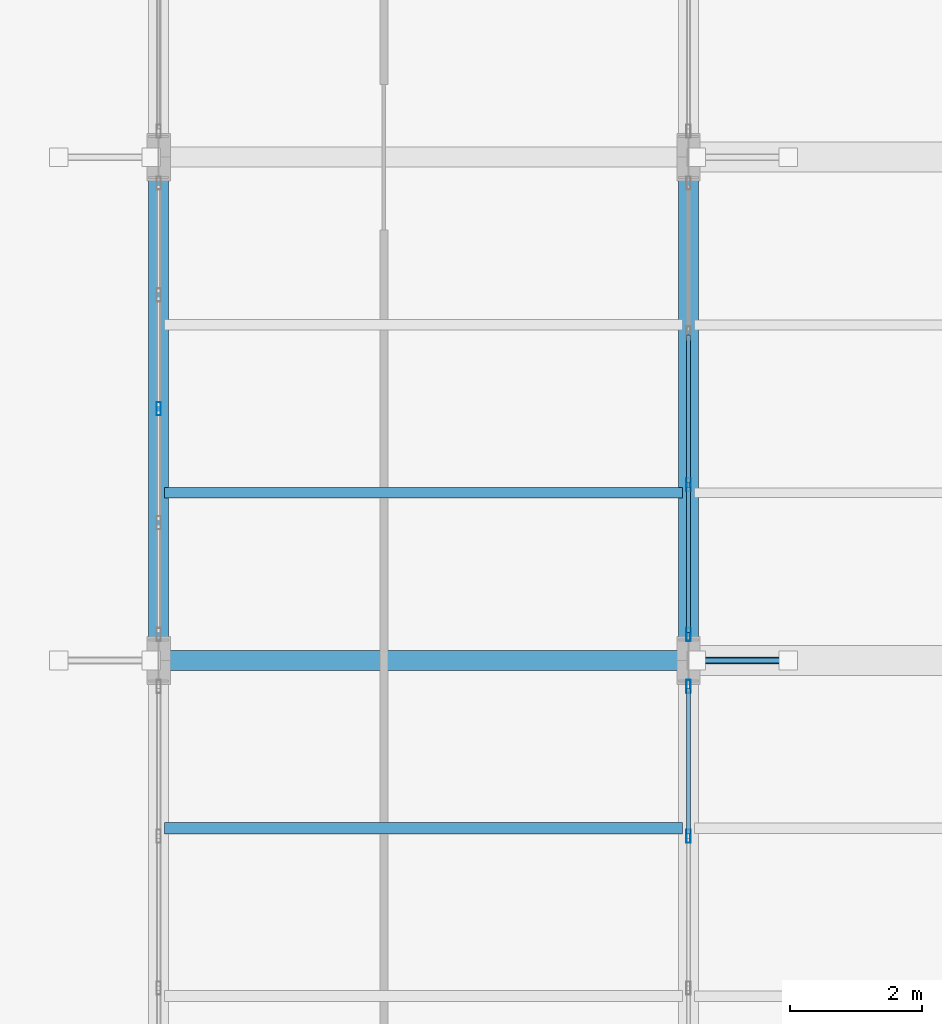
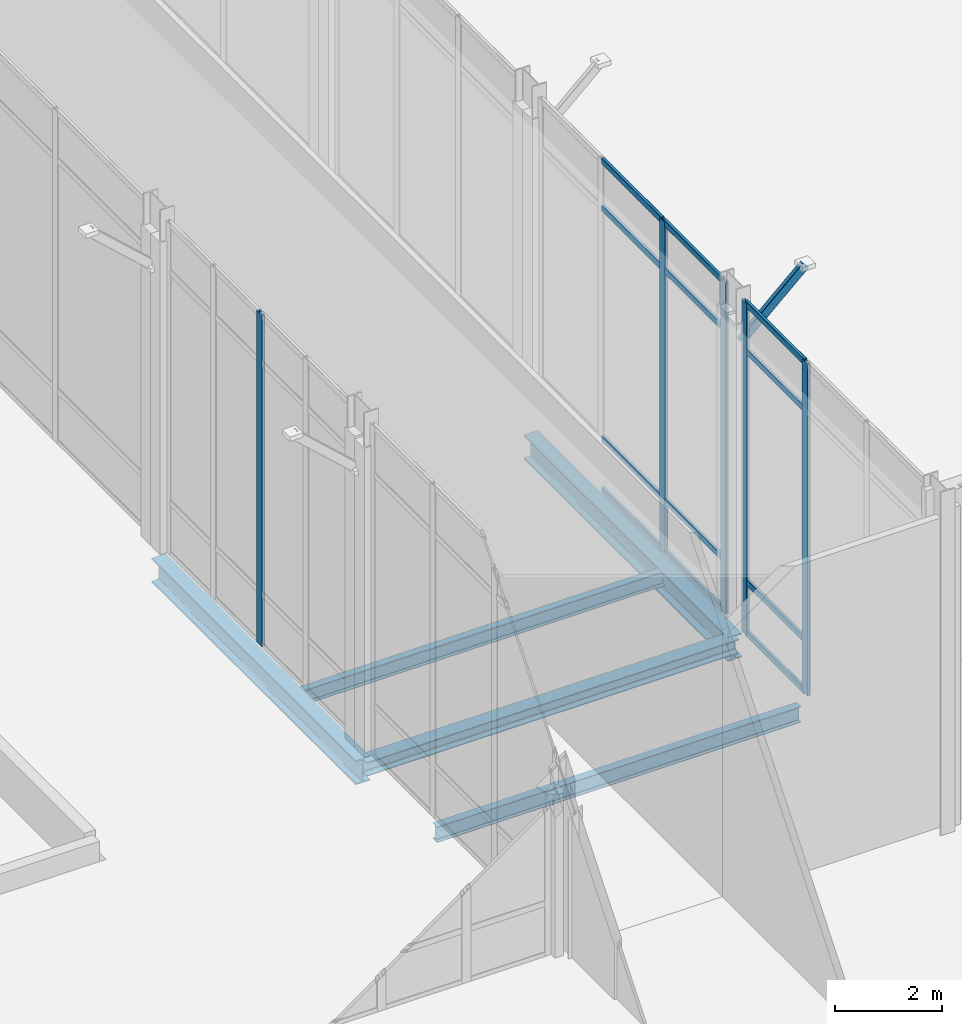
# One storey, part 35 of 176: 18 members, 5 beams, 3 elements without a shape of their own.
"""IFC4 building model written with IfcOpenShell, lengths in metres."""

import ifcopenshell
import ifcopenshell.guid

model = None  # the IFC model being written
_history = None  # IfcOwnerHistory: only IFC2X3 demands one
_inside = {}  # id of a spatial element -> (the spatial element, [elements in it])
_under = {}  # id of a project, library or spatial element -> (it, [spatial elements below it])
_declared = {}  # id of a project -> (the project, [libraries it declares])
_typed = {}  # id of a type object -> (the type object, [elements of that type])
_made_of = {}  # id of a material, layer set ... -> (it, [elements and type objects made of it])


def new_model(schema):
    """Start an empty IFC model of exactly this schema.

    Asked for "IFC4X3", IfcOpenShell would pick the latest addendum, in which some entities
    have other attributes; the version numbers below select the first issue.
    IFC2X3 requires an IfcOwnerHistory on every rooted entity: one is made here for all.
    """
    global model, _history
    if schema == "IFC4X3":
        model = ifcopenshell.file(schema_version=(4, 3, 0, 0))
    else:
        model = ifcopenshell.file(schema=schema)
    _inside.clear()
    _under.clear()
    _declared.clear()
    _typed.clear()
    _made_of.clear()
    _history = None
    if model.schema == "IFC2X3":
        org = make("IfcOrganization", Name="unknown")
        user = make(
            "IfcPersonAndOrganization",
            ThePerson=make("IfcPerson", FamilyName="unknown"),
            TheOrganization=org,
        )
        app = make(
            "IfcApplication",
            ApplicationDeveloper=org,
            Version="unknown",
            ApplicationFullName="unknown",
            ApplicationIdentifier="unknown",
        )
        _history = make(
            "IfcOwnerHistory",
            OwningUser=user,
            OwningApplication=app,
            ChangeAction="ADDED",
            CreationDate=0,
        )
    return model


def make(cls, **values):
    """One entity of the class cls with the attributes given. An attribute that is None is left unset."""
    return model.create_entity(
        cls, **{name: value for name, value in values.items() if value is not None}
    )


def rooted(cls, **values):
    """An entity with a GlobalId (a new one), such as an element, a storey or a relation."""
    return make(cls, GlobalId=ifcopenshell.guid.new(), OwnerHistory=_history, **values)


def si_unit(unit_type, name, prefix=None):
    """IfcSIUnit, for example si_unit("LENGTHUNIT", "METRE", prefix="MILLI")."""
    return make("IfcSIUnit", UnitType=unit_type, Prefix=prefix, Name=name)


def assignment(units):
    """IfcUnitAssignment: the units of a project."""
    return None if units is None else make("IfcUnitAssignment", Units=units)


def point(xyz):
    """IfcCartesianPoint."""
    return None if xyz is None else make("IfcCartesianPoint", Coordinates=xyz)


def direction(xyz):
    """IfcDirection."""
    return None if xyz is None else make("IfcDirection", DirectionRatios=xyz)


def frame(location, z_axis=None, x_axis=None):
    """IfcAxis2Placement3D, a coordinate frame: its origin and axes. An axis left out is left unset."""
    return make(
        "IfcAxis2Placement3D",
        Location=point(location),
        Axis=direction(z_axis),
        RefDirection=direction(x_axis),
    )


def frame_2d(location, x_axis=None):
    """IfcAxis2Placement2D, a coordinate frame in the plane: its origin and x axis."""
    return make(
        "IfcAxis2Placement2D", Location=point(location), RefDirection=direction(x_axis)
    )


def origin():
    """The frame at (0, 0, 0) with its axes left unset."""
    return frame((0.0, 0.0, 0.0))


def origin_2d():
    """The frame at (0, 0) in the plane with its x axis left unset."""
    return frame_2d((0.0, 0.0))


def place(relative_to, where):
    """IfcLocalPlacement: puts the frame where relative to a parent placement (None: the world)."""
    return make(
        "IfcLocalPlacement", PlacementRelTo=relative_to, RelativePlacement=where
    )


def context(
    kind, dimensions, precision=None, world=None, true_north=None, identifier=None
):
    """IfcGeometricRepresentationContext, for example the 3D "Model" context."""
    return make(
        "IfcGeometricRepresentationContext",
        ContextIdentifier=identifier,
        ContextType=kind,
        CoordinateSpaceDimension=dimensions,
        Precision=precision,
        WorldCoordinateSystem=world,
        TrueNorth=true_north,
    )


def subcontext(parent, identifier, kind, view, scale=None):
    """IfcGeometricRepresentationSubContext, for example "Body" below "Model"."""
    return make(
        "IfcGeometricRepresentationSubContext",
        ContextIdentifier=identifier,
        ContextType=kind,
        ParentContext=parent,
        TargetScale=scale,
        TargetView=view,
    )


def project(units=None, contexts=None):
    """IfcProject with its units and contexts."""
    return rooted(
        "IfcProject",
        Name="project",
        RepresentationContexts=contexts,
        UnitsInContext=assignment(units),
    )


def spatial(cls, under=None, at=None, **own):
    """A site, building, storey or space (cls), placed at a placement, below another one or the project."""
    s = rooted(cls, ObjectPlacement=at, **own)
    if under is not None:
        _under.setdefault(under.id(), (under, []))[1].append(s)
    return s


def profile(cls, at=None, kind="AREA", **sizes):
    """A parametric profile (cls). Its sizes go by their IFC names, for example OverallWidth=200.0."""
    return make(cls, ProfileType=kind, Position=at, **sizes)


def hollow_rectangle(**sizes):
    """IfcRectangleHollowProfileDef."""
    return profile("IfcRectangleHollowProfileDef", **sizes)


def i_section(**sizes):
    """IfcIShapeProfileDef."""
    return profile("IfcIShapeProfileDef", **sizes)


def extrude(swept, where, along, depth):
    """IfcExtrudedAreaSolid: the profile swept, set in the frame where, extruded along a direction by depth."""
    return make(
        "IfcExtrudedAreaSolid",
        SweptArea=swept,
        Position=where,
        ExtrudedDirection=direction(along),
        Depth=depth,
    )


def shape(context_of_items, identifier, shape_type, items):
    """IfcShapeRepresentation: the items that make up one representation, for example the "Body"."""
    return make(
        "IfcShapeRepresentation",
        ContextOfItems=context_of_items,
        RepresentationIdentifier=identifier,
        RepresentationType=shape_type,
        Items=items,
    )


def material(Name=None, Category=None):
    """IfcMaterial."""
    return make("IfcMaterial", Name=Name, Category=Category)


def layer(
    of_material, thickness, ventilated=None, Name=None, Category=None, Priority=None
):
    """IfcMaterialLayer: one layer of a wall or slab, of a material (None: an air gap)."""
    return make(
        "IfcMaterialLayer",
        Material=of_material,
        LayerThickness=thickness,
        IsVentilated=ventilated,
        Name=Name,
        Category=Category,
        Priority=Priority,
    )


def layer_set(layers, Name=None):
    """IfcMaterialLayerSet."""
    return make("IfcMaterialLayerSet", MaterialLayers=layers, LayerSetName=Name)


def material_profile(
    of_material, cross_section, Name=None, Category=None, Priority=None
):
    """IfcMaterialProfile: a cross section and its material."""
    return make(
        "IfcMaterialProfile",
        Name=Name,
        Material=of_material,
        Profile=cross_section,
        Priority=Priority,
        Category=Category,
    )


def profile_set(profiles, Name=None, composite=None):
    """IfcMaterialProfileSet."""
    return make(
        "IfcMaterialProfileSet",
        Name=Name,
        MaterialProfiles=profiles,
        CompositeProfile=composite,
    )


def made_of(thing, what):
    """Note that an element or type object is made of a material, layer set ...; save() writes the relation."""
    if what is not None:
        _made_of.setdefault(what.id(), (what, []))[1].append(thing)
    return thing


def type_object(cls, material=None, **own):
    """A type object (cls), such as IfcWallType, which elements share."""
    return made_of(rooted(cls, **own), material)


def element(
    cls,
    number,
    at=None,
    inside=None,
    cuts=None,
    type_object=None,
    material=None,
    context=None,
    identifier="Body",
    shape_type=None,
    held_by="IfcProductDefinitionShape",
    body=None,
    shapes=None,
    **own,
):
    """One element of the class cls, such as IfcWall. Its Tag is "e" and its number.

    at: its placement. inside: the storey or other place that contains it. cuts: it is an
    opening in that element (IfcRelVoidsElement). A single representation is given by context,
    identifier, shape_type and body (its items); several are given by shapes. held_by: the class
    of the entity that holds the representations. save() writes the other relations.
    """
    e = rooted(cls, Tag="e%d" % number, ObjectPlacement=at, **own)
    if body is not None:
        shapes = [shape(context, identifier, shape_type, body)]
    if shapes is not None:
        e.Representation = make(held_by, Representations=shapes)
    if inside is not None:
        _inside.setdefault(inside.id(), (inside, []))[1].append(e)
    if cuts is not None:
        rooted(
            "IfcRelVoidsElement", RelatingBuildingElement=cuts, RelatedOpeningElement=e
        )
    if type_object is not None:
        _typed.setdefault(type_object.id(), (type_object, []))[1].append(e)
    return made_of(e, material)


def aggregate(whole, parts):
    """IfcRelAggregates: a whole, such as a stair, and the parts it consists of."""
    return rooted("IfcRelAggregates", RelatingObject=whole, RelatedObjects=parts)


def save(model, path):
    """Write the relations noted so far, then the file.

    IfcRelAggregates (storeys below a building ...), IfcRelContainedInSpatialStructure (elements
    in a storey), IfcRelDefinesByType, IfcRelAssociatesMaterial and IfcRelDeclares: one each for
    every whole, place, type object, material and project.
    """
    for whole, parts in _under.values():
        aggregate(whole, parts)
    for where, things in _inside.values():
        rooted(
            "IfcRelContainedInSpatialStructure",
            RelatedElements=things,
            RelatingStructure=where,
        )
    for kind, things in _typed.values():
        rooted("IfcRelDefinesByType", RelatedObjects=things, RelatingType=kind)
    for what, things in _made_of.values():
        rooted("IfcRelAssociatesMaterial", RelatedObjects=things, RelatingMaterial=what)
    for by, libraries in _declared.values():
        rooted("IfcRelDeclares", RelatingContext=by, RelatedDefinitions=libraries)
    model.write(path)


model = new_model("IFC4")

# Units and contexts
model_context = context("Model", 3, precision=1e-05, world=origin(), true_north=direction((0.0, 1.0)))
body_context = subcontext(model_context, "Body", "Model", "MODEL_VIEW")
ifc_project = project(units=[si_unit("LENGTHUNIT", "METRE"), si_unit("AREAUNIT", "SQUARE_METRE"), si_unit("VOLUMEUNIT", "CUBIC_METRE"), si_unit("PLANEANGLEUNIT", "RADIAN"), si_unit("MASSUNIT", "GRAM", prefix="KILO")], contexts=[model_context])

# Site, building, storey
site_placement = place(None, origin())
site = spatial("IfcSite", under=ifc_project, at=site_placement, CompositionType="ELEMENT")
building_placement = place(site_placement, origin())
building = spatial("IfcBuilding", under=site, at=building_placement, Name="Vekula Escarpment Museum", CompositionType="ELEMENT")
storey_placement = place(building_placement, origin())
storey = spatial("IfcBuildingStorey", under=building, at=storey_placement, Name="L01", CompositionType="ELEMENT", Elevation=0.0)

# Beams
ifc_material_1 = material(Name="Steel S355", Category="steel")
ifc_material_profile_1 = material_profile(ifc_material_1, i_section(OverallWidth=0.300048828125, OverallDepth=0.320068359375, WebThickness=0.011474609375, FlangeThickness=0.0205078125, FilletRadius=0.027099609375, at=origin_2d()), Name="HEB 320")
ifc_profile_set_1 = profile_set([ifc_material_profile_1], Name="Steel S355")
beam_type_1 = type_object("IfcBeamType", Name="BM-GIRD-HEB320", PredefinedType="BEAM", material=ifc_profile_set_1)
beam_1_placement = place(storey_placement, frame((94.0, 22.800048828125, -0.4599609375), z_axis=(1.0, 0.0, 0.0), x_axis=(0.0, 1.0, 0.0)))
element("IfcBeam", 1, at=beam_1_placement, inside=storey, type_object=beam_type_1, Name="Beam X L01 0074", PredefinedType="BEAM", context=body_context, shape_type="SweptSolid", body=[
    extrude(i_section(OverallWidth=0.300048828125, OverallDepth=0.320068359375, WebThickness=0.011474609375, FlangeThickness=0.0205078125, FilletRadius=0.027099609375, at=origin_2d()), origin(), (0.0, 0.0, 1.0), 8.0),
])
ifc_material_2 = material(Name="Steel S355", Category="steel")
ifc_material_profile_2 = material_profile(ifc_material_2, i_section(OverallWidth=0.300048828125, OverallDepth=0.550048828125, WebThickness=0.014892578125, FlangeThickness=0.029052734375, FilletRadius=0.027099609375, at=origin_2d()), Name="HEB 550")
ifc_profile_set_2 = profile_set([ifc_material_profile_2], Name="Steel S355")
beam_type_2 = type_object("IfcBeamType", Name="BM-GIRD-HEB550", PredefinedType="BEAM", material=ifc_profile_set_2)
for number, where, z_axis, x_axis, name in (
    (2, (94.0, 22.800048828125, -0.574951171875), (0.0, 1.0, 0.0), (-1.0, 0.0, 0.0), "Beam Y L01 0579"),
    (3, (102.0, 22.800048828125, -0.574951171875), (0.0, 1.0, 0.0), (-1.0, 0.0, 0.0), "Beam Y L01 0597"),
):
    element("IfcBeam", number, at=place(storey_placement, frame(where, z_axis=z_axis, x_axis=x_axis)), inside=storey, type_object=beam_type_2, Name=name, PredefinedType="BEAM", context=body_context, shape_type="SweptSolid", body=[
        extrude(i_section(OverallWidth=0.300048828125, OverallDepth=0.550048828125, WebThickness=0.014892578125, FlangeThickness=0.029052734375, FilletRadius=0.027099609375, at=origin_2d()), origin(), (0.0, 0.0, 1.0), 7.599853515625),
    ])
ifc_material_3 = material(Name="Steel S355", Category="steel")
ifc_material_profile_3 = material_profile(ifc_material_3, i_section(OverallWidth=0.159912109375, OverallDepth=0.330078125, WebThickness=0.007568359375, FlangeThickness=0.011474609375, FilletRadius=0.01806640625, at=origin_2d()), Name="IPE 330")
ifc_profile_set_3 = profile_set([ifc_material_profile_3], Name="Steel S355")
beam_type_3 = type_object("IfcBeamType", Name="BM-JST-IPE330", PredefinedType="JOIST", material=ifc_profile_set_3)
beam_2_placement = place(storey_placement, frame((94.090087890625, 25.333251953125, -0.465087890625), z_axis=(1.0, 0.0, 0.0), x_axis=(0.0, 1.0, 0.0)))
element("IfcBeam", 4, at=beam_2_placement, inside=storey, type_object=beam_type_3, Name="Secondary Joist L01 0294", PredefinedType="JOIST", context=body_context, shape_type="SweptSolid", body=[
    extrude(i_section(OverallWidth=0.159912109375, OverallDepth=0.330078125, WebThickness=0.007568359375, FlangeThickness=0.011474609375, FilletRadius=0.01806640625, at=origin_2d()), origin(), (0.0, 0.0, 1.0), 7.81982421875),
])
ifc_material_4 = material(Name="Steel S355", Category="steel")
ifc_material_profile_4 = material_profile(ifc_material_4, i_section(OverallWidth=0.169921875, OverallDepth=0.360107421875, WebThickness=0.008056640625, FlangeThickness=0.0126953125, FilletRadius=0.01806640625, at=origin_2d()), Name="IPE 360")
ifc_profile_set_4 = profile_set([ifc_material_profile_4], Name="Steel S355")
beam_type_4 = type_object("IfcBeamType", Name="BM-JST-IPE360", PredefinedType="JOIST", material=ifc_profile_set_4)
beam_3_placement = place(storey_placement, frame((94.090087890625, 20.2666015625, -0.47998046875), z_axis=(1.0, 0.0, 0.0), x_axis=(0.0, 1.0, 0.0)))
element("IfcBeam", 5, at=beam_3_placement, inside=storey, type_object=beam_type_4, Name="Secondary Joist L01 0293", PredefinedType="JOIST", context=body_context, shape_type="SweptSolid", body=[
    extrude(i_section(OverallWidth=0.169921875, OverallDepth=0.360107421875, WebThickness=0.008056640625, FlangeThickness=0.0126953125, FilletRadius=0.01806640625, at=origin_2d()), origin(), (0.0, 0.0, 1.0), 7.81982421875),
])

# Curtain wall, members
ifc_material_5 = material(Name="Aluminium thermally broken framing", Category="aluminium")
ifc_layer_1 = layer(ifc_material_5, 0.199951171875)
ifc_layer_set_1 = layer_set([ifc_layer_1], Name="Aluminium thermally broken framing")
curtain_wall_type_1 = type_object("IfcCurtainWallType", Name="CW-SYS-03", PredefinedType="NOTDEFINED", material=ifc_layer_set_1)
curtain_wall_1_placement = place(storey_placement, origin())
curtain_wall_1 = element("IfcCurtainWall", 6, at=curtain_wall_1_placement, inside=storey, type_object=curtain_wall_type_1, Name="Curtain Wall CW-L01-003", PredefinedType="NOTDEFINED")
ifc_material_6 = material(Name="Aluminium anodized mullion", Category="aluminium")
ifc_material_profile_5 = material_profile(ifc_material_6, hollow_rectangle(XDim=0.06494140625, YDim=0.199951171875, WallThickness=0.00390625, InnerFilletRadius=0.00390625, OuterFilletRadius=0.008056640625, at=origin_2d()), Name="ALU 200x65x4")
ifc_profile_set_5 = profile_set([ifc_material_profile_5], Name="Aluminium anodized mullion")
member_type_1 = type_object("IfcMemberType", Name="CW-MUL-200", PredefinedType="MULLION", material=ifc_profile_set_5)
member_1_placement = place(storey_placement, frame((102.0, 20.146728515625, 0.0), z_axis=(0.0, 0.0, 1.0), x_axis=(-1.0, 0.0, 0.0)))
member_1 = element("IfcMember", 7, at=member_1_placement, type_object=member_type_1, Name="CW-03 mullion 3", PredefinedType="MULLION", context=body_context, shape_type="SweptSolid", body=[
    extrude(hollow_rectangle(XDim=0.06494140625, YDim=0.199951171875, WallThickness=0.00390625, InnerFilletRadius=0.00390625, OuterFilletRadius=0.008056640625, at=origin_2d()), origin(), (0.0, 0.0, 1.0), 7.5400390625),
])
member_2_placement = place(storey_placement, frame((102.0, 22.407470703125, 0.0), z_axis=(0.0, 0.0, 1.0), x_axis=(-1.0, 0.0, 0.0)))
member_2 = element("IfcMember", 8, at=member_2_placement, type_object=member_type_1, Name="CW-03 mullion 4", PredefinedType="MULLION", context=body_context, shape_type="SweptSolid", body=[
    extrude(hollow_rectangle(XDim=0.06494140625, YDim=0.199951171875, WallThickness=0.00390625, InnerFilletRadius=0.00390625, OuterFilletRadius=0.008056640625, at=origin_2d()), origin(), (0.0, 0.0, 1.0), 7.5400390625),
])

ifc_material_7 = material(Name="Aluminium thermally broken framing", Category="aluminium")
ifc_layer_2 = layer(ifc_material_7, 0.199951171875)
ifc_layer_set_2 = layer_set([ifc_layer_2], Name="Aluminium thermally broken framing")
curtain_wall_type_2 = type_object("IfcCurtainWallType", Name="CW-SYS-04", PredefinedType="NOTDEFINED", material=ifc_layer_set_2)
curtain_wall_2_placement = place(storey_placement, origin())
curtain_wall_2 = element("IfcCurtainWall", 9, at=curtain_wall_2_placement, inside=storey, type_object=curtain_wall_type_2, Name="Curtain Wall CW-L01-004", PredefinedType="NOTDEFINED")
member_3_placement = place(storey_placement, frame((102.0, 23.1923828125, 0.0), z_axis=(0.0, 0.0, 1.0), x_axis=(-1.0, 0.0, 0.0)))
member_3 = element("IfcMember", 10, at=member_3_placement, type_object=member_type_1, Name="CW-04 mullion 1", PredefinedType="MULLION", context=body_context, shape_type="SweptSolid", body=[
    extrude(hollow_rectangle(XDim=0.06494140625, YDim=0.199951171875, WallThickness=0.00390625, InnerFilletRadius=0.00390625, OuterFilletRadius=0.008056640625, at=origin_2d()), origin(), (0.0, 0.0, 1.0), 7.5400390625),
])
member_4_placement = place(storey_placement, frame((102.0, 25.453369140625, 0.0), z_axis=(0.0, 0.0, 1.0), x_axis=(-1.0, 0.0, 0.0)))
member_4 = element("IfcMember", 11, at=member_4_placement, type_object=member_type_1, Name="CW-04 mullion 2", PredefinedType="MULLION", context=body_context, shape_type="SweptSolid", body=[
    extrude(hollow_rectangle(XDim=0.06494140625, YDim=0.199951171875, WallThickness=0.00390625, InnerFilletRadius=0.00390625, OuterFilletRadius=0.008056640625, at=origin_2d()), origin(), (0.0, 0.0, 1.0), 7.5400390625),
])

# Curtain wall, member
ifc_material_8 = material(Name="Aluminium thermally broken framing", Category="aluminium")
ifc_layer_3 = layer(ifc_material_8, 0.14990234375)
ifc_layer_set_3 = layer_set([ifc_layer_3], Name="Aluminium thermally broken framing")
curtain_wall_type_3 = type_object("IfcCurtainWallType", Name="CW-SYS-09", PredefinedType="NOTDEFINED", material=ifc_layer_set_3)
curtain_wall_3_placement = place(storey_placement, origin())
curtain_wall_3 = element("IfcCurtainWall", 12, at=curtain_wall_3_placement, inside=storey, type_object=curtain_wall_type_3, Name="Curtain Wall CW-L01-049", PredefinedType="NOTDEFINED")
member_5_placement = place(storey_placement, frame((94.0, 26.60009765625, 0.0), z_axis=(0.0, 0.0, 1.0), x_axis=(1.0, 0.0, 0.0)))
member_5 = element("IfcMember", 13, at=member_5_placement, type_object=member_type_1, Name="CW-09 mullion 3", PredefinedType="MULLION", context=body_context, shape_type="SweptSolid", body=[
    extrude(hollow_rectangle(XDim=0.06494140625, YDim=0.199951171875, WallThickness=0.00390625, InnerFilletRadius=0.00390625, OuterFilletRadius=0.008056640625, at=origin_2d()), origin(), (0.0, 0.0, 1.0), 7.5400390625),
])
aggregate(curtain_wall_3, [member_5])

# Member
ifc_material_9 = material(Name="Aluminium anodized transom", Category="aluminium")
ifc_material_profile_6 = material_profile(ifc_material_9, hollow_rectangle(XDim=0.06494140625, YDim=0.139892578125, WallThickness=0.00390625, InnerFilletRadius=0.00390625, OuterFilletRadius=0.008056640625, at=origin_2d()), Name="ALU 140x65x4")
ifc_profile_set_6 = profile_set([ifc_material_profile_6], Name="Aluminium anodized transom")
member_type_2 = type_object("IfcMemberType", Name="CW-TRN-140", PredefinedType="USERDEFINED", material=ifc_profile_set_6)
member_6_placement = place(storey_placement, frame((102.0, 20.17919921875, 0.032470703125), z_axis=(0.0, 1.0, 0.0), x_axis=(-1.0, 0.0, 0.0)))
member_6 = element("IfcMember", 14, at=member_6_placement, type_object=member_type_2, Name="CW-03 transom 3.1", ObjectType="TRANSOM", PredefinedType="USERDEFINED", context=body_context, shape_type="SweptSolid", body=[
    extrude(hollow_rectangle(XDim=0.06494140625, YDim=0.139892578125, WallThickness=0.00390625, InnerFilletRadius=0.00390625, OuterFilletRadius=0.008056640625, at=origin_2d()), origin(), (0.0, 0.0, 1.0), 2.19580078125),
])

member_7_placement = place(storey_placement, frame((102.0, 20.17919921875, 1.199951171875), z_axis=(0.0, 1.0, 0.0), x_axis=(-1.0, 0.0, 0.0)))
member_7 = element("IfcMember", 15, at=member_7_placement, type_object=member_type_2, Name="CW-03 transom 3.2", ObjectType="TRANSOM", PredefinedType="USERDEFINED", context=body_context, shape_type="SweptSolid", body=[
    extrude(hollow_rectangle(XDim=0.06494140625, YDim=0.139892578125, WallThickness=0.00390625, InnerFilletRadius=0.00390625, OuterFilletRadius=0.008056640625, at=origin_2d()), origin(), (0.0, 0.0, 1.0), 2.19580078125),
])

member_8_placement = place(storey_placement, frame((102.0, 20.17919921875, 6.43994140625), z_axis=(0.0, 1.0, 0.0), x_axis=(-1.0, 0.0, 0.0)))
member_8 = element("IfcMember", 16, at=member_8_placement, type_object=member_type_2, Name="CW-03 transom 3.3", ObjectType="TRANSOM", PredefinedType="USERDEFINED", context=body_context, shape_type="SweptSolid", body=[
    extrude(hollow_rectangle(XDim=0.06494140625, YDim=0.139892578125, WallThickness=0.00390625, InnerFilletRadius=0.00390625, OuterFilletRadius=0.008056640625, at=origin_2d()), origin(), (0.0, 0.0, 1.0), 2.19580078125),
])

member_9_placement = place(storey_placement, frame((102.0, 20.17919921875, 7.507568359375), z_axis=(0.0, 1.0, 0.0), x_axis=(-1.0, 0.0, 0.0)))
member_9 = element("IfcMember", 17, at=member_9_placement, type_object=member_type_2, Name="CW-03 transom 3.4", ObjectType="TRANSOM", PredefinedType="USERDEFINED", context=body_context, shape_type="SweptSolid", body=[
    extrude(hollow_rectangle(XDim=0.06494140625, YDim=0.139892578125, WallThickness=0.00390625, InnerFilletRadius=0.00390625, OuterFilletRadius=0.008056640625, at=origin_2d()), origin(), (0.0, 0.0, 1.0), 2.19580078125),
])

aggregate(curtain_wall_1, [member_1, member_2, member_6, member_7, member_8, member_9])

member_10_placement = place(storey_placement, frame((102.0, 23.22509765625, 0.032470703125), z_axis=(0.0, 1.0, 0.0), x_axis=(-1.0, 0.0, 0.0)))
member_10 = element("IfcMember", 18, at=member_10_placement, type_object=member_type_2, Name="CW-04 transom 1.1", ObjectType="TRANSOM", PredefinedType="USERDEFINED", context=body_context, shape_type="SweptSolid", body=[
    extrude(hollow_rectangle(XDim=0.06494140625, YDim=0.139892578125, WallThickness=0.00390625, InnerFilletRadius=0.00390625, OuterFilletRadius=0.008056640625, at=origin_2d()), origin(), (0.0, 0.0, 1.0), 2.19580078125),
])

member_11_placement = place(storey_placement, frame((102.0, 23.22509765625, 1.199951171875), z_axis=(0.0, 1.0, 0.0), x_axis=(-1.0, 0.0, 0.0)))
member_11 = element("IfcMember", 19, at=member_11_placement, type_object=member_type_2, Name="CW-04 transom 1.2", ObjectType="TRANSOM", PredefinedType="USERDEFINED", context=body_context, shape_type="SweptSolid", body=[
    extrude(hollow_rectangle(XDim=0.06494140625, YDim=0.139892578125, WallThickness=0.00390625, InnerFilletRadius=0.00390625, OuterFilletRadius=0.008056640625, at=origin_2d()), origin(), (0.0, 0.0, 1.0), 2.19580078125),
])

member_12_placement = place(storey_placement, frame((102.0, 23.22509765625, 6.43994140625), z_axis=(0.0, 1.0, 0.0), x_axis=(-1.0, 0.0, 0.0)))
member_12 = element("IfcMember", 20, at=member_12_placement, type_object=member_type_2, Name="CW-04 transom 1.3", ObjectType="TRANSOM", PredefinedType="USERDEFINED", context=body_context, shape_type="SweptSolid", body=[
    extrude(hollow_rectangle(XDim=0.06494140625, YDim=0.139892578125, WallThickness=0.00390625, InnerFilletRadius=0.00390625, OuterFilletRadius=0.008056640625, at=origin_2d()), origin(), (0.0, 0.0, 1.0), 2.19580078125),
])

member_13_placement = place(storey_placement, frame((102.0, 23.22509765625, 7.507568359375), z_axis=(0.0, 1.0, 0.0), x_axis=(-1.0, 0.0, 0.0)))
member_13 = element("IfcMember", 21, at=member_13_placement, type_object=member_type_2, Name="CW-04 transom 1.4", ObjectType="TRANSOM", PredefinedType="USERDEFINED", context=body_context, shape_type="SweptSolid", body=[
    extrude(hollow_rectangle(XDim=0.06494140625, YDim=0.139892578125, WallThickness=0.00390625, InnerFilletRadius=0.00390625, OuterFilletRadius=0.008056640625, at=origin_2d()), origin(), (0.0, 0.0, 1.0), 2.19580078125),
])

member_14_placement = place(storey_placement, frame((102.0, 25.48583984375, 0.032470703125), z_axis=(0.0, 1.0, 0.0), x_axis=(-1.0, 0.0, 0.0)))
member_14 = element("IfcMember", 22, at=member_14_placement, type_object=member_type_2, Name="CW-04 transom 2.1", ObjectType="TRANSOM", PredefinedType="USERDEFINED", context=body_context, shape_type="SweptSolid", body=[
    extrude(hollow_rectangle(XDim=0.06494140625, YDim=0.139892578125, WallThickness=0.00390625, InnerFilletRadius=0.00390625, OuterFilletRadius=0.008056640625, at=origin_2d()), origin(), (0.0, 0.0, 1.0), 2.228271484375),
])

member_15_placement = place(storey_placement, frame((102.0, 25.48583984375, 1.199951171875), z_axis=(0.0, 1.0, 0.0), x_axis=(-1.0, 0.0, 0.0)))
member_15 = element("IfcMember", 23, at=member_15_placement, type_object=member_type_2, Name="CW-04 transom 2.2", ObjectType="TRANSOM", PredefinedType="USERDEFINED", context=body_context, shape_type="SweptSolid", body=[
    extrude(hollow_rectangle(XDim=0.06494140625, YDim=0.139892578125, WallThickness=0.00390625, InnerFilletRadius=0.00390625, OuterFilletRadius=0.008056640625, at=origin_2d()), origin(), (0.0, 0.0, 1.0), 2.228271484375),
])

member_16_placement = place(storey_placement, frame((102.0, 25.48583984375, 6.43994140625), z_axis=(0.0, 1.0, 0.0), x_axis=(-1.0, 0.0, 0.0)))
member_16 = element("IfcMember", 24, at=member_16_placement, type_object=member_type_2, Name="CW-04 transom 2.3", ObjectType="TRANSOM", PredefinedType="USERDEFINED", context=body_context, shape_type="SweptSolid", body=[
    extrude(hollow_rectangle(XDim=0.06494140625, YDim=0.139892578125, WallThickness=0.00390625, InnerFilletRadius=0.00390625, OuterFilletRadius=0.008056640625, at=origin_2d()), origin(), (0.0, 0.0, 1.0), 2.228271484375),
])

member_17_placement = place(storey_placement, frame((102.0, 25.48583984375, 7.507568359375), z_axis=(0.0, 1.0, 0.0), x_axis=(-1.0, 0.0, 0.0)))
member_17 = element("IfcMember", 25, at=member_17_placement, type_object=member_type_2, Name="CW-04 transom 2.4", ObjectType="TRANSOM", PredefinedType="USERDEFINED", context=body_context, shape_type="SweptSolid", body=[
    extrude(hollow_rectangle(XDim=0.06494140625, YDim=0.139892578125, WallThickness=0.00390625, InnerFilletRadius=0.00390625, OuterFilletRadius=0.008056640625, at=origin_2d()), origin(), (0.0, 0.0, 1.0), 2.228271484375),
])

aggregate(curtain_wall_2, [member_3, member_4, member_10, member_11, member_12, member_13, member_14, member_15, member_16, member_17])

ifc_material_10 = material(Name="Steel S355", Category="steel")
ifc_material_profile_7 = material_profile(ifc_material_10, hollow_rectangle(XDim=0.10009765625, YDim=0.199951171875, WallThickness=0.008056640625, InnerFilletRadius=0.008056640625, OuterFilletRadius=0.01611328125, at=origin_2d()), Name="RHS 200x100x8")
ifc_profile_set_7 = profile_set([ifc_material_profile_7], Name="Steel S355")
member_type_3 = type_object("IfcMemberType", Name="MB-SACAK-BRK", PredefinedType="STRUT", material=ifc_profile_set_7)
member_18_placement = place(storey_placement, frame((102.1201171875, 22.800048828125, 6.35009765625), z_axis=(0.738454378718, 0.0, 0.674303441006), x_axis=(0.0, 1.0, 0.0)))
element("IfcMember", 26, at=member_18_placement, inside=storey, type_object=member_type_3, Name="Ottoman Sacak Eave Bracket L02-0016", PredefinedType="STRUT", context=body_context, shape_type="SweptSolid", body=[
    extrude(hollow_rectangle(XDim=0.10009765625, YDim=0.199951171875, WallThickness=0.008056640625, InnerFilletRadius=0.008056640625, OuterFilletRadius=0.01611328125, at=origin_2d()), origin(), (0.0, 0.0, 1.0), 1.86865234375),
])

save(model, "model.ifc")
